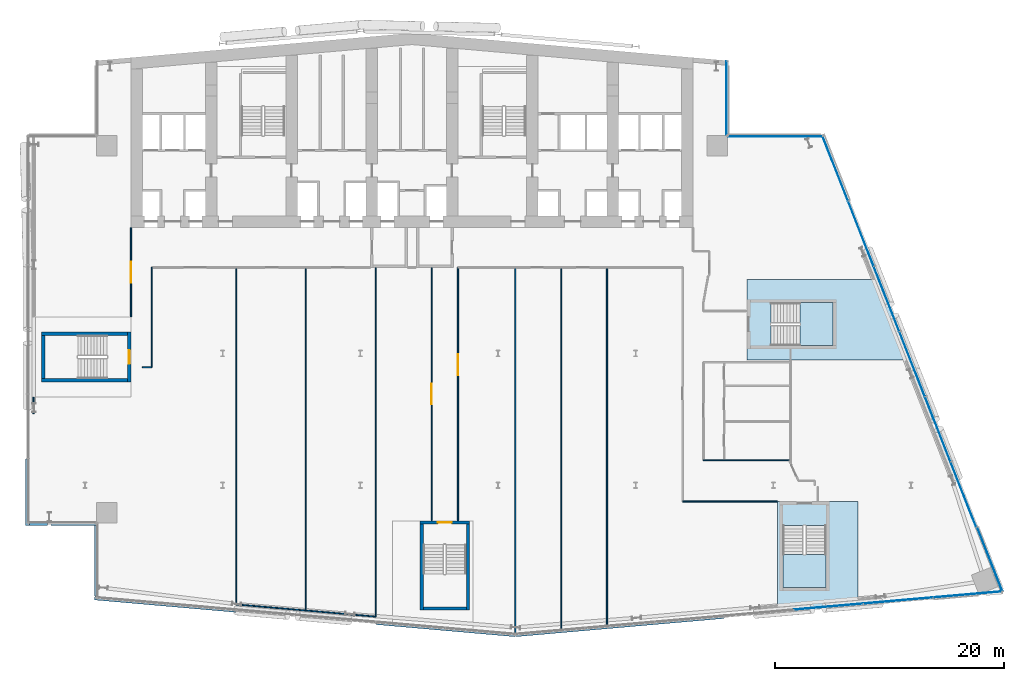
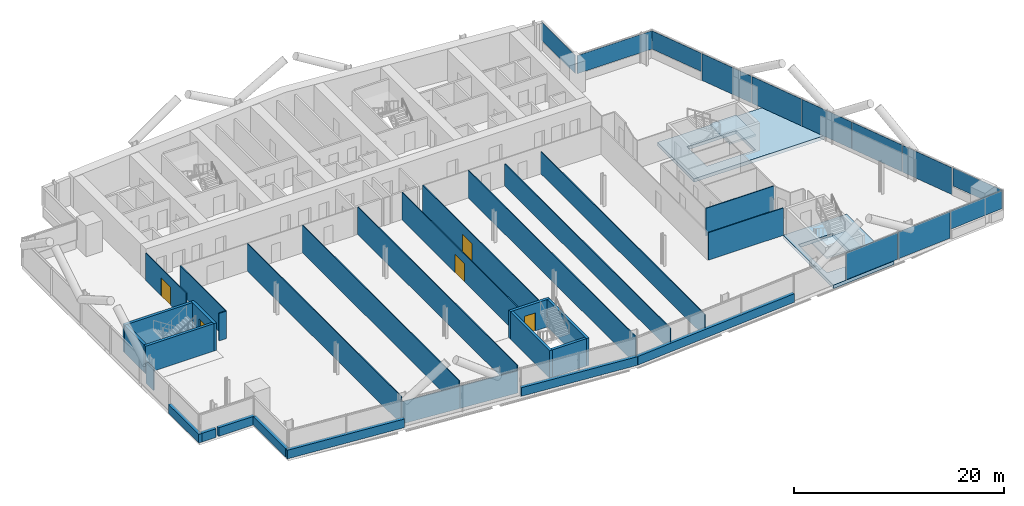
# One storey, part 13 of 25: 31 walls, 12 plates, 5 doors, 4 slabs, 5 openings, 6 elements without a shape of their own.
"""IFC4 building model written with IfcOpenShell, lengths in metres."""

import ifcopenshell
import ifcopenshell.guid

model = None  # the IFC model being written
_history = None  # IfcOwnerHistory: only IFC2X3 demands one
_inside = {}  # id of a spatial element -> (the spatial element, [elements in it])
_under = {}  # id of a project, library or spatial element -> (it, [spatial elements below it])
_declared = {}  # id of a project -> (the project, [libraries it declares])
_typed = {}  # id of a type object -> (the type object, [elements of that type])
_made_of = {}  # id of a material, layer set ... -> (it, [elements and type objects made of it])


def new_model(schema):
    """Start an empty IFC model of exactly this schema.

    Asked for "IFC4X3", IfcOpenShell would pick the latest addendum, in which some entities
    have other attributes; the version numbers below select the first issue.
    IFC2X3 requires an IfcOwnerHistory on every rooted entity: one is made here for all.
    """
    global model, _history
    if schema == "IFC4X3":
        model = ifcopenshell.file(schema_version=(4, 3, 0, 0))
    else:
        model = ifcopenshell.file(schema=schema)
    _inside.clear()
    _under.clear()
    _declared.clear()
    _typed.clear()
    _made_of.clear()
    _history = None
    if model.schema == "IFC2X3":
        org = make("IfcOrganization", Name="unknown")
        user = make(
            "IfcPersonAndOrganization",
            ThePerson=make("IfcPerson", FamilyName="unknown"),
            TheOrganization=org,
        )
        app = make(
            "IfcApplication",
            ApplicationDeveloper=org,
            Version="unknown",
            ApplicationFullName="unknown",
            ApplicationIdentifier="unknown",
        )
        _history = make(
            "IfcOwnerHistory",
            OwningUser=user,
            OwningApplication=app,
            ChangeAction="ADDED",
            CreationDate=0,
        )
    return model


def make(cls, **values):
    """One entity of the class cls with the attributes given. An attribute that is None is left unset."""
    return model.create_entity(
        cls, **{name: value for name, value in values.items() if value is not None}
    )


def rooted(cls, **values):
    """An entity with a GlobalId (a new one), such as an element, a storey or a relation."""
    return make(cls, GlobalId=ifcopenshell.guid.new(), OwnerHistory=_history, **values)


def si_unit(unit_type, name, prefix=None):
    """IfcSIUnit, for example si_unit("LENGTHUNIT", "METRE", prefix="MILLI")."""
    return make("IfcSIUnit", UnitType=unit_type, Prefix=prefix, Name=name)


def assignment(units):
    """IfcUnitAssignment: the units of a project."""
    return None if units is None else make("IfcUnitAssignment", Units=units)


def point(xyz):
    """IfcCartesianPoint."""
    return None if xyz is None else make("IfcCartesianPoint", Coordinates=xyz)


def direction(xyz):
    """IfcDirection."""
    return None if xyz is None else make("IfcDirection", DirectionRatios=xyz)


def frame(location, z_axis=None, x_axis=None):
    """IfcAxis2Placement3D, a coordinate frame: its origin and axes. An axis left out is left unset."""
    return make(
        "IfcAxis2Placement3D",
        Location=point(location),
        Axis=direction(z_axis),
        RefDirection=direction(x_axis),
    )


def frame_2d(location, x_axis=None):
    """IfcAxis2Placement2D, a coordinate frame in the plane: its origin and x axis."""
    return make(
        "IfcAxis2Placement2D", Location=point(location), RefDirection=direction(x_axis)
    )


def origin():
    """The frame at (0, 0, 0) with its axes left unset."""
    return frame((0.0, 0.0, 0.0))


def origin_2d():
    """The frame at (0, 0) in the plane with its x axis left unset."""
    return frame_2d((0.0, 0.0))


def place(relative_to, where):
    """IfcLocalPlacement: puts the frame where relative to a parent placement (None: the world)."""
    return make(
        "IfcLocalPlacement", PlacementRelTo=relative_to, RelativePlacement=where
    )


def context(
    kind, dimensions, precision=None, world=None, true_north=None, identifier=None
):
    """IfcGeometricRepresentationContext, for example the 3D "Model" context."""
    return make(
        "IfcGeometricRepresentationContext",
        ContextIdentifier=identifier,
        ContextType=kind,
        CoordinateSpaceDimension=dimensions,
        Precision=precision,
        WorldCoordinateSystem=world,
        TrueNorth=true_north,
    )


def subcontext(parent, identifier, kind, view, scale=None):
    """IfcGeometricRepresentationSubContext, for example "Body" below "Model"."""
    return make(
        "IfcGeometricRepresentationSubContext",
        ContextIdentifier=identifier,
        ContextType=kind,
        ParentContext=parent,
        TargetScale=scale,
        TargetView=view,
    )


def project(units=None, contexts=None):
    """IfcProject with its units and contexts."""
    return rooted(
        "IfcProject",
        Name="project",
        RepresentationContexts=contexts,
        UnitsInContext=assignment(units),
    )


def spatial(cls, under=None, at=None, **own):
    """A site, building, storey or space (cls), placed at a placement, below another one or the project."""
    s = rooted(cls, ObjectPlacement=at, **own)
    if under is not None:
        _under.setdefault(under.id(), (under, []))[1].append(s)
    return s


def polyline(points):
    """IfcPolyline through the points."""
    return make("IfcPolyline", Points=[point(p) for p in points])


def profile(cls, at=None, kind="AREA", **sizes):
    """A parametric profile (cls). Its sizes go by their IFC names, for example OverallWidth=200.0."""
    return make(cls, ProfileType=kind, Position=at, **sizes)


def rectangle(**sizes):
    """IfcRectangleProfileDef."""
    return profile("IfcRectangleProfileDef", **sizes)


def outline(outer, holes=None, kind="AREA"):
    """IfcArbitraryClosedProfileDef: a profile drawn as a closed curve; with holes, ...WithVoids."""
    if holes is None:
        return make("IfcArbitraryClosedProfileDef", ProfileType=kind, OuterCurve=outer)
    return make(
        "IfcArbitraryProfileDefWithVoids",
        ProfileType=kind,
        OuterCurve=outer,
        InnerCurves=holes,
    )


def extrude(swept, where, along, depth):
    """IfcExtrudedAreaSolid: the profile swept, set in the frame where, extruded along a direction by depth."""
    return make(
        "IfcExtrudedAreaSolid",
        SweptArea=swept,
        Position=where,
        ExtrudedDirection=direction(along),
        Depth=depth,
    )


def shape(context_of_items, identifier, shape_type, items):
    """IfcShapeRepresentation: the items that make up one representation, for example the "Body"."""
    return make(
        "IfcShapeRepresentation",
        ContextOfItems=context_of_items,
        RepresentationIdentifier=identifier,
        RepresentationType=shape_type,
        Items=items,
    )


def material(Name=None, Category=None):
    """IfcMaterial."""
    return make("IfcMaterial", Name=Name, Category=Category)


def layer(
    of_material, thickness, ventilated=None, Name=None, Category=None, Priority=None
):
    """IfcMaterialLayer: one layer of a wall or slab, of a material (None: an air gap)."""
    return make(
        "IfcMaterialLayer",
        Material=of_material,
        LayerThickness=thickness,
        IsVentilated=ventilated,
        Name=Name,
        Category=Category,
        Priority=Priority,
    )


def layer_set(layers, Name=None):
    """IfcMaterialLayerSet."""
    return make("IfcMaterialLayerSet", MaterialLayers=layers, LayerSetName=Name)


def made_of(thing, what):
    """Note that an element or type object is made of a material, layer set ...; save() writes the relation."""
    if what is not None:
        _made_of.setdefault(what.id(), (what, []))[1].append(thing)
    return thing


def type_object(cls, material=None, **own):
    """A type object (cls), such as IfcWallType, which elements share."""
    return made_of(rooted(cls, **own), material)


def element(
    cls,
    number,
    at=None,
    inside=None,
    cuts=None,
    type_object=None,
    material=None,
    context=None,
    identifier="Body",
    shape_type=None,
    held_by="IfcProductDefinitionShape",
    body=None,
    shapes=None,
    **own,
):
    """One element of the class cls, such as IfcWall. Its Tag is "e" and its number.

    at: its placement. inside: the storey or other place that contains it. cuts: it is an
    opening in that element (IfcRelVoidsElement). A single representation is given by context,
    identifier, shape_type and body (its items); several are given by shapes. held_by: the class
    of the entity that holds the representations. save() writes the other relations.
    """
    e = rooted(cls, Tag="e%d" % number, ObjectPlacement=at, **own)
    if body is not None:
        shapes = [shape(context, identifier, shape_type, body)]
    if shapes is not None:
        e.Representation = make(held_by, Representations=shapes)
    if inside is not None:
        _inside.setdefault(inside.id(), (inside, []))[1].append(e)
    if cuts is not None:
        rooted(
            "IfcRelVoidsElement", RelatingBuildingElement=cuts, RelatedOpeningElement=e
        )
    if type_object is not None:
        _typed.setdefault(type_object.id(), (type_object, []))[1].append(e)
    return made_of(e, material)


def fill(opening, filler):
    """IfcRelFillsElement: the door or window that sits in an opening."""
    return rooted(
        "IfcRelFillsElement",
        RelatingOpeningElement=opening,
        RelatedBuildingElement=filler,
    )


def aggregate(whole, parts):
    """IfcRelAggregates: a whole, such as a stair, and the parts it consists of."""
    return rooted("IfcRelAggregates", RelatingObject=whole, RelatedObjects=parts)


def save(model, path):
    """Write the relations noted so far, then the file.

    IfcRelAggregates (storeys below a building ...), IfcRelContainedInSpatialStructure (elements
    in a storey), IfcRelDefinesByType, IfcRelAssociatesMaterial and IfcRelDeclares: one each for
    every whole, place, type object, material and project.
    """
    for whole, parts in _under.values():
        aggregate(whole, parts)
    for where, things in _inside.values():
        rooted(
            "IfcRelContainedInSpatialStructure",
            RelatedElements=things,
            RelatingStructure=where,
        )
    for kind, things in _typed.values():
        rooted("IfcRelDefinesByType", RelatedObjects=things, RelatingType=kind)
    for what, things in _made_of.values():
        rooted("IfcRelAssociatesMaterial", RelatedObjects=things, RelatingMaterial=what)
    for by, libraries in _declared.values():
        rooted("IfcRelDeclares", RelatingContext=by, RelatedDefinitions=libraries)
    model.write(path)


model = new_model("IFC4")

# Units and contexts
model_context = context("Model", 3, precision=1e-05, world=origin(), true_north=direction((0.0, 1.0)))
body_context = subcontext(model_context, "Body", "Model", "MODEL_VIEW")
ifc_project = project(units=[si_unit("LENGTHUNIT", "METRE"), si_unit("AREAUNIT", "SQUARE_METRE"), si_unit("VOLUMEUNIT", "CUBIC_METRE"), si_unit("PLANEANGLEUNIT", "RADIAN"), si_unit("MASSUNIT", "GRAM", prefix="KILO")], contexts=[model_context])

# Site, building, storey
site_placement = place(None, origin())
site = spatial("IfcSite", under=ifc_project, at=site_placement, CompositionType="ELEMENT")
building_placement = place(site_placement, origin())
building = spatial("IfcBuilding", under=site, at=building_placement, Name="Wharfspan Tower", CompositionType="ELEMENT")
storey_placement = place(building_placement, frame((0.0, 0.0, 129.100098)))
storey = spatial("IfcBuildingStorey", under=building, at=storey_placement, Name="L30", CompositionType="ELEMENT", Elevation=129.100098)

# Curtain wall, plate
ifc_material_1 = material(Name="Aluminium 6063-T6", Category="aluminium")
curtain_wall_type_1 = type_object("IfcCurtainWallType", Name="CURTAIN WALL FACETED FRONT", PredefinedType="NOTDEFINED", material=ifc_material_1)
curtain_wall_1_placement = place(storey_placement, origin())
curtain_wall_1 = element("IfcCurtainWall", 1, at=curtain_wall_1_placement, inside=storey, type_object=curtain_wall_type_1, Name="Curtain wall S2", PredefinedType="NOTDEFINED")
ifc_material_2 = material(Name="Glass clear low-iron double glazing", Category="glass")
ifc_layer_1 = layer(ifc_material_2, 0.040039)
ifc_layer_set_1 = layer_set([ifc_layer_1], Name="Glass clear low-iron double glazing")
plate_type_1 = type_object("IfcPlateType", Name="GLASS PANEL FACETED FRONT 40", PredefinedType="CURTAIN_PANEL", material=ifc_layer_set_1)
plate_1_placement = place(storey_placement, frame((88.944092, 1.99292, 0.999756), z_axis=(0.0, 0.0, 1.0), x_axis=(0.996198, 0.087156, 0.0)))
plate_1 = element("IfcPlate", 2, at=plate_1_placement, type_object=plate_type_1, Name="Curtain wall S2 panel 7", PredefinedType="CURTAIN_PANEL", context=body_context, shape_type="SweptSolid", body=[
    extrude(rectangle(XDim=6.004639, YDim=0.040039, at=origin_2d()), origin(), (0.0, 0.0, 1.0), 2.120117),
])

# Curtain wall, plates
curtain_wall_type_2 = type_object("IfcCurtainWallType", Name="CURTAIN WALL PROW AND END", PredefinedType="NOTDEFINED", material=ifc_material_1)
curtain_wall_2_placement = place(storey_placement, origin())
curtain_wall_2 = element("IfcCurtainWall", 3, at=curtain_wall_2_placement, inside=storey, type_object=curtain_wall_type_2, Name="Curtain wall E", PredefinedType="NOTDEFINED")
ifc_layer_2 = layer(ifc_material_2, 0.040039)
ifc_layer_set_2 = layer_set([ifc_layer_2], Name="Glass clear low-iron double glazing")
plate_type_2 = type_object("IfcPlateType", Name="GLASS PANEL PROW AND END 40", PredefinedType="CURTAIN_PANEL", material=ifc_layer_set_2)
plate_2_placement = place(storey_placement, frame((90.877197, 5.056885, 0.999756), z_axis=(0.0, 0.0, 1.0), x_axis=(-0.365778, 0.930702, 0.0)))
plate_2 = element("IfcPlate", 4, at=plate_2_placement, type_object=plate_type_2, Name="Curtain wall E panel 1", PredefinedType="CURTAIN_PANEL", context=body_context, shape_type="SweptSolid", body=[
    extrude(rectangle(XDim=6.019043, YDim=0.040039, at=origin_2d()), origin(), (0.0, 0.0, 1.0), 2.120117),
])
plate_3_placement = place(storey_placement, frame((77.406494, 39.114014, 0.999756), z_axis=(0.0, 0.0, 1.0), x_axis=(-0.365778, 0.930702, 0.0)))
plate_3 = element("IfcPlate", 5, at=plate_3_placement, type_object=plate_type_2, Name="Curtain wall E panel 7", PredefinedType="CURTAIN_PANEL", context=body_context, shape_type="SweptSolid", body=[
    extrude(rectangle(XDim=6.019043, YDim=0.040039, at=origin_2d()), origin(), (0.0, 0.0, 1.0), 2.120117),
])

# Curtain wall, plate
curtain_wall_3_placement = place(storey_placement, origin())
curtain_wall_3 = element("IfcCurtainWall", 6, at=curtain_wall_3_placement, inside=storey, type_object=curtain_wall_type_2, Name="Curtain wall NRE-H", PredefinedType="NOTDEFINED")
plate_4_placement = place(storey_placement, frame((72.178955, 41.919922, 0.999756), z_axis=(0.0, 0.0, 1.0), x_axis=(-1.0, 0.0, 0.0)))
plate_4 = element("IfcPlate", 7, at=plate_4_placement, type_object=plate_type_2, Name="Curtain wall NRE-H panel 1", PredefinedType="CURTAIN_PANEL", context=body_context, shape_type="SweptSolid", body=[
    extrude(rectangle(XDim=8.238037, YDim=0.040039, at=origin_2d()), origin(), (0.0, 0.0, 1.0), 2.120117),
])
aggregate(curtain_wall_3, [plate_4])

curtain_wall_4_placement = place(storey_placement, origin())
curtain_wall_4 = element("IfcCurtainWall", 8, at=curtain_wall_4_placement, inside=storey, type_object=curtain_wall_type_2, Name="Curtain wall NRE-V", PredefinedType="NOTDEFINED")
plate_5_placement = place(storey_placement, frame((67.919922, 45.262451, 0.999756), z_axis=(0.0, 0.0, 1.0), x_axis=(0.0, 1.0, 0.0)))
plate_5 = element("IfcPlate", 9, at=plate_5_placement, type_object=plate_type_2, Name="Curtain wall NRE-V panel 1", PredefinedType="CURTAIN_PANEL", context=body_context, shape_type="SweptSolid", body=[
    extrude(rectangle(XDim=6.405029, YDim=0.040039, at=origin_2d()), origin(), (0.0, 0.0, 1.0), 2.120117),
])
aggregate(curtain_wall_4, [plate_5])

# Plate
ifc_material_3 = material(Name="Aluminium composite opaque insulated panel", Category="aluminium")
ifc_layer_3 = layer(ifc_material_3, 0.040039)
ifc_layer_set_3 = layer_set([ifc_layer_3], Name="Aluminium composite opaque insulated panel")
plate_type_3 = type_object("IfcPlateType", Name="INFILL PANEL FACETED FRONT OPAQUE 40", PredefinedType="SHEET", material=ifc_layer_set_3)
plate_6_placement = place(storey_placement, frame((76.816162, 0.931885, -0.000244), z_axis=(0.0, 0.0, 1.0), x_axis=(0.996198, 0.087156, 0.0)))
plate_6 = element("IfcPlate", 10, at=plate_6_placement, type_object=plate_type_3, Name="Curtain wall S2 panel 5", PredefinedType="SHEET", context=body_context, shape_type="SweptSolid", body=[
    extrude(rectangle(XDim=6.034668, YDim=0.040039, at=origin_2d()), origin(), (0.0, 0.0, 1.0), 3.120117),
])

plate_7_placement = place(storey_placement, frame((82.887695, 1.462891, -0.000244), z_axis=(0.0, 0.0, 1.0), x_axis=(0.996198, 0.087156, 0.0)))
plate_7 = element("IfcPlate", 11, at=plate_7_placement, type_object=plate_type_3, Name="Curtain wall S2 panel 6", PredefinedType="SHEET", context=body_context, shape_type="SweptSolid", body=[
    extrude(rectangle(XDim=6.034668, YDim=0.040039, at=origin_2d()), origin(), (0.0, 0.0, 1.0), 3.120117),
])

aggregate(curtain_wall_1, [plate_6, plate_7, plate_1])

ifc_layer_4 = layer(ifc_material_3, 0.040039)
ifc_layer_set_4 = layer_set([ifc_layer_4], Name="Aluminium composite opaque insulated panel")
plate_type_4 = type_object("IfcPlateType", Name="INFILL PANEL PROW AND END OPAQUE 40", PredefinedType="SHEET", material=ifc_layer_set_4)
plate_8_placement = place(storey_placement, frame((88.57373, 10.699219, -0.000244), z_axis=(0.0, 0.0, 1.0), x_axis=(-0.365778, 0.930702, 0.0)))
plate_8 = element("IfcPlate", 12, at=plate_8_placement, type_object=plate_type_4, Name="Curtain wall E panel 2", PredefinedType="SHEET", context=body_context, shape_type="SweptSolid", body=[
    extrude(rectangle(XDim=6.049072, YDim=0.040039, at=origin_2d()), origin(), (0.0, 0.0, 1.0), 3.120117),
])

plate_9_placement = place(storey_placement, frame((86.339111, 16.38501, -0.000244), z_axis=(0.0, 0.0, 1.0), x_axis=(-0.365778, 0.930702, 0.0)))
plate_9 = element("IfcPlate", 13, at=plate_9_placement, type_object=plate_type_4, Name="Curtain wall E panel 3", PredefinedType="SHEET", context=body_context, shape_type="SweptSolid", body=[
    extrude(rectangle(XDim=6.049072, YDim=0.040039, at=origin_2d()), origin(), (0.0, 0.0, 1.0), 3.120117),
])

plate_10_placement = place(storey_placement, frame((84.104492, 22.070801, -0.000244), z_axis=(0.0, 0.0, 1.0), x_axis=(-0.365778, 0.930702, 0.0)))
plate_10 = element("IfcPlate", 14, at=plate_10_placement, type_object=plate_type_4, Name="Curtain wall E panel 4", PredefinedType="SHEET", context=body_context, shape_type="SweptSolid", body=[
    extrude(rectangle(XDim=6.049072, YDim=0.040039, at=origin_2d()), origin(), (0.0, 0.0, 1.0), 3.120117),
])

plate_11_placement = place(storey_placement, frame((81.870117, 27.756348, -0.000244), z_axis=(0.0, 0.0, 1.0), x_axis=(-0.365778, 0.930702, 0.0)))
plate_11 = element("IfcPlate", 15, at=plate_11_placement, type_object=plate_type_4, Name="Curtain wall E panel 5", PredefinedType="SHEET", context=body_context, shape_type="SweptSolid", body=[
    extrude(rectangle(XDim=6.049072, YDim=0.040039, at=origin_2d()), origin(), (0.0, 0.0, 1.0), 3.120117),
])

plate_12_placement = place(storey_placement, frame((79.635498, 33.442139, -0.000244), z_axis=(0.0, 0.0, 1.0), x_axis=(-0.365778, 0.930702, 0.0)))
plate_12 = element("IfcPlate", 16, at=plate_12_placement, type_object=plate_type_4, Name="Curtain wall E panel 6", PredefinedType="SHEET", context=body_context, shape_type="SweptSolid", body=[
    extrude(rectangle(XDim=6.049072, YDim=0.040039, at=origin_2d()), origin(), (0.0, 0.0, 1.0), 3.120117),
])

aggregate(curtain_wall_2, [plate_2, plate_8, plate_9, plate_10, plate_11, plate_12, plate_3])

# Slabs
ifc_material_4 = material(Name="Concrete C40/50", Category="concrete")
ifc_layer_5 = layer(ifc_material_4, 0.399902)
ifc_layer_set_5 = layer_set([ifc_layer_5], Name="Concrete C40/50")
slab_type_1 = type_object("IfcSlabType", Name="Post-tensioned flat slab 400", PredefinedType="FLOOR", material=ifc_layer_set_5)
slab_1_placement = place(storey_placement, frame((0.0, 0.0, -0.400146)))
element("IfcSlab", 17, at=slab_1_placement, inside=storey, type_object=slab_type_1, Name="Core floor slab L30 part 5", PredefinedType="FLOOR", context=body_context, shape_type="SweptSolid", body=[
    extrude(outline(polyline([(79.365967, 10.094727), (76.891113, 10.094727), (72.541016, 10.094727), (72.365967, 10.094727), (72.365967, 0.482178), (79.365967, 1.094727), (79.365967, 10.094727)]), holes=[polyline([(76.591064, 7.996582), (76.591309, 7.996582), (76.591309, 7.996582), (76.591553, 7.996582), (76.591797, 7.996582), (76.591797, 7.996338), (76.592041, 7.996338), (76.592285, 7.996094), (76.592285, 7.996094), (76.592529, 7.99585), (76.592773, 7.99585), (76.592773, 7.995605), (76.593018, 7.995361), (76.593018, 7.995117), (76.593018, 7.995117), (76.593018, 7.994873), (76.593018, 7.994629), (76.593018, 2.594727), (76.593018, 2.594482), (76.593018, 2.594238), (76.593018, 2.593994), (76.593018, 2.593994), (76.592773, 2.59375), (76.592773, 2.593506), (76.592529, 2.593506), (76.592285, 2.593262), (76.592285, 2.593018), (76.592041, 2.593018), (76.591797, 2.593018), (76.591797, 2.592773), (76.591553, 2.592773), (76.591309, 2.592773), (76.591309, 2.592773), (76.591064, 2.592773), (72.841064, 2.592773), (72.84082, 2.592773), (72.840576, 2.592773), (72.840332, 2.592773), (72.840088, 2.592773), (72.840088, 2.593018), (72.839844, 2.593018), (72.8396, 2.593018), (72.8396, 2.593262), (72.8396, 2.593506), (72.839355, 2.593506), (72.839111, 2.59375), (72.839111, 2.593994), (72.839111, 2.593994), (72.839111, 2.594238), (72.839111, 2.594482), (72.839111, 2.594727), (72.839111, 7.994629), (72.839111, 7.994873), (72.839111, 7.995117), (72.839111, 7.995117), (72.839111, 7.995361), (72.839111, 7.995605), (72.839355, 7.99585), (72.8396, 7.99585), (72.8396, 7.996094), (72.8396, 7.996094), (72.839844, 7.996338), (72.840088, 7.996338), (72.840088, 7.996582), (72.840332, 7.996582), (72.840576, 7.996582), (72.84082, 7.996582), (72.841064, 7.996582), (76.591064, 7.996582)])]), origin(), (0.0, 0.0, 1.0), 0.400146),
])
slab_2_placement = place(storey_placement, frame((0.0, 0.0, -0.400146)))
element("IfcSlab", 18, at=slab_2_placement, inside=storey, type_object=slab_type_1, Name="Core floor slab L30 part 6", PredefinedType="FLOOR", context=body_context, shape_type="SweptSolid", body=[
    extrude(outline(polyline([(81.290283, 29.449951), (69.69043, 29.449951), (69.69043, 27.725098), (69.69043, 23.375), (69.69043, 22.449951), (84.041504, 22.449951), (81.290283, 29.449951)]), holes=[polyline([(71.790283, 23.673096), (71.790283, 23.673096), (71.790039, 23.673096), (71.789795, 23.673096), (71.789551, 23.673096), (71.789551, 23.673096), (71.789307, 23.67334), (71.789062, 23.673584), (71.789062, 23.673584), (71.788818, 23.673584), (71.788818, 23.673828), (71.788574, 23.674072), (71.788574, 23.674316), (71.788574, 23.674316), (71.78833, 23.674561), (71.78833, 23.674805), (71.78833, 23.675049), (71.78833, 27.425049), (71.78833, 27.425293), (71.78833, 27.425293), (71.788574, 27.425537), (71.788574, 27.425781), (71.788574, 27.425781), (71.788818, 27.426025), (71.788818, 27.42627), (71.789062, 27.426514), (71.789062, 27.426514), (71.789307, 27.426758), (71.789551, 27.426758), (71.789551, 27.426758), (71.789795, 27.427002), (71.790039, 27.427002), (71.790283, 27.427002), (71.790283, 27.427002), (77.19043, 27.427002), (77.190674, 27.427002), (77.190918, 27.427002), (77.190918, 27.427002), (77.191162, 27.426758), (77.191406, 27.426758), (77.191406, 27.426758), (77.19165, 27.426514), (77.191895, 27.426514), (77.191895, 27.42627), (77.192139, 27.426025), (77.192139, 27.425781), (77.192139, 27.425781), (77.192383, 27.425537), (77.192383, 27.425293), (77.192383, 27.425293), (77.192383, 27.425049), (77.192383, 23.675049), (77.192383, 23.674805), (77.192383, 23.674561), (77.192383, 23.674316), (77.192139, 23.674316), (77.192139, 23.674072), (77.192139, 23.673828), (77.191895, 23.673584), (77.191895, 23.673584), (77.19165, 23.673584), (77.191406, 23.67334), (77.191406, 23.673096), (77.191162, 23.673096), (77.190918, 23.673096), (77.190918, 23.673096), (77.190674, 23.673096), (77.19043, 23.673096), (71.790283, 23.673096)])]), origin(), (0.0, 0.0, 1.0), 0.400146),
])

# Stair, slab
stair_type = type_object("IfcStairType", Name="Half-turn stair 20 risers 180 mm", PredefinedType="HALF_TURN_STAIR", material=ifc_material_4)
stair_1_placement = place(storey_placement, origin())
stair_1 = element("IfcStair", 19, at=stair_1_placement, inside=storey, type_object=stair_type, Name="L30 stair ST5", PredefinedType="HALF_TURN_STAIR")
ifc_layer_6 = layer(ifc_material_4, 0.199951)
ifc_layer_set_6 = layer_set([ifc_layer_6], Name="Concrete C40/50")
slab_type_2 = type_object("IfcSlabType", Name="Stair landing 200", PredefinedType="LANDING", material=ifc_layer_set_6)
slab_3_placement = place(storey_placement, frame((0.0, 0.0, 1.599609)))
slab_3 = element("IfcSlab", 20, at=slab_3_placement, type_object=slab_type_2, Name="ST5 landing 1", PredefinedType="LANDING", context=body_context, shape_type="SweptSolid", body=[
    extrude(outline(polyline([(72.841064, 5.474609), (72.841064, 2.594727), (76.591064, 2.594727), (76.591064, 5.474609), (72.841064, 5.474609)])), origin(), (0.0, 0.0, 1.0), 0.200195),
])
aggregate(stair_1, [slab_3])

stair_2_placement = place(storey_placement, origin())
stair_2 = element("IfcStair", 21, at=stair_2_placement, inside=storey, type_object=stair_type, Name="L30 stair ST6", PredefinedType="HALF_TURN_STAIR")
slab_4_placement = place(storey_placement, frame((0.0, 0.0, 1.599609)))
slab_4 = element("IfcSlab", 22, at=slab_4_placement, type_object=slab_type_2, Name="ST6 landing 1", PredefinedType="LANDING", context=body_context, shape_type="SweptSolid", body=[
    extrude(outline(polyline([(74.310303, 23.675049), (77.19043, 23.675049), (77.19043, 27.425049), (74.310303, 27.425049), (74.310303, 23.675049)])), origin(), (0.0, 0.0, 1.0), 0.200195),
])
aggregate(stair_2, [slab_4])

# Wall, opening, door
ifc_material_5 = material(Name="Gypsum board on steel studs", Category="steel")
ifc_layer_7 = layer(ifc_material_5, 0.100098)
ifc_layer_set_7 = layer_set([ifc_layer_7], Name="Gypsum board on steel studs")
wall_type_1 = type_object("IfcWallType", Name="Compartment wall 100 EI 60", PredefinedType="PARTITIONING", material=ifc_layer_set_7)
wall_1_placement = place(storey_placement, frame((16.0, 26.219971, 0.0), z_axis=(0.0, 0.0, 1.0), x_axis=(0.0, 1.0, 0.0)))
wall_1 = element("IfcWall", 23, at=wall_1_placement, inside=storey, type_object=wall_type_1, Name="Partition L30.w003", PredefinedType="PARTITIONING", context=body_context, shape_type="SweptSolid", body=[
    extrude(rectangle(XDim=7.76001, YDim=0.100098, at=frame_2d((3.879883, 0.0))), origin(), (0.0, 0.0, 1.0), 3.199951),
])
opening_1_placement = place(wall_1_placement, frame((2.959961, 0.0, 0.0)))
opening_1 = element("IfcOpeningElement", 24, at=opening_1_placement, cuts=wall_1, Name="Opening B4-09", PredefinedType="OPENING", context=body_context, shape_type="SweptSolid", body=[
    extrude(rectangle(XDim=1.800049, YDim=2.100098, at=frame_2d((0.899902, 1.050049))), frame((0.0, 0.060059, 0.0), z_axis=(0.0, -1.0, 0.0), x_axis=(1.0, 0.0, 0.0)), (0.0, 0.0, 1.0), 0.120117),
])
ifc_material_6 = material(Name="Fire-rated timber door leaf in steel frame", Category="steel")
door_type_1 = type_object("IfcDoorType", Name="Door 1800 FD30S Double", OperationType="DOUBLE_DOOR_SINGLE_SWING", PredefinedType="DOOR", material=ifc_material_6)
door_1_placement = place(opening_1_placement, origin())
door_1 = element("IfcDoor", 25, at=door_1_placement, inside=storey, type_object=door_type_1, Name="Door B4-09", OperationType="DOUBLE_DOOR_SINGLE_SWING", OverallHeight=2.100098, OverallWidth=1.800049, PredefinedType="DOOR", context=body_context, shape_type="SweptSolid", body=[
    extrude(rectangle(XDim=1.800049, YDim=2.100098, at=frame_2d((0.899902, 1.050049))), frame((0.0, 0.024902, 0.0), z_axis=(0.0, -1.0, 0.0), x_axis=(1.0, 0.0, 0.0)), (0.0, 0.0, 1.0), 0.050049),
])
fill(opening_1, door_1)

# Walls
wall_2_placement = place(storey_placement, frame((17.0, 21.800049, 0.0), z_axis=(0.0, 0.0, 1.0), x_axis=(1.0, 0.0, 0.0)))
element("IfcWall", 26, at=wall_2_placement, inside=storey, type_object=wall_type_1, Name="Partition L30.w004", PredefinedType="PARTITIONING", context=body_context, shape_type="SweptSolid", body=[
    extrude(rectangle(XDim=0.800049, YDim=0.100098, at=frame_2d((0.399902, 0.0))), origin(), (0.0, 0.0, 1.0), 3.199951),
])
wall_3_placement = place(storey_placement, frame((17.800049, 21.800049, 0.0), z_axis=(0.0, 0.0, 1.0), x_axis=(0.0, 1.0, 0.0)))
element("IfcWall", 27, at=wall_3_placement, inside=storey, type_object=wall_type_1, Name="Partition L30.w005", PredefinedType="PARTITIONING", context=body_context, shape_type="SweptSolid", body=[
    extrude(rectangle(XDim=8.699951, YDim=0.100098, at=frame_2d((4.350098, 0.0))), origin(), (0.0, 0.0, 1.0), 3.199951),
])
wall_4_placement = place(storey_placement, frame((25.169922, 1.120117, 0.0), z_axis=(0.0, 0.0, 1.0), x_axis=(0.0, 1.0, 0.0)))
element("IfcWall", 28, at=wall_4_placement, inside=storey, type_object=wall_type_1, Name="Partition L30.w007", PredefinedType="PARTITIONING", context=body_context, shape_type="SweptSolid", body=[
    extrude(rectangle(XDim=29.379883, YDim=0.100098, at=frame_2d((14.689941, 0.0))), origin(), (0.0, 0.0, 1.0), 3.199951),
])
wall_5_placement = place(storey_placement, frame((31.25, 0.590088, 0.0), z_axis=(0.0, 0.0, 1.0), x_axis=(0.0, 1.0, 0.0)))
element("IfcWall", 29, at=wall_5_placement, inside=storey, type_object=wall_type_1, Name="Partition L30.w009", PredefinedType="PARTITIONING", context=body_context, shape_type="SweptSolid", body=[
    extrude(rectangle(XDim=29.909912, YDim=0.100098, at=frame_2d((14.955078, 0.0))), origin(), (0.0, 0.0, 1.0), 3.199951),
])
wall_6_placement = place(storey_placement, frame((37.334961, 0.054932, 0.0), z_axis=(0.0, 0.0, 1.0), x_axis=(0.0, 1.0, 0.0)))
element("IfcWall", 30, at=wall_6_placement, inside=storey, type_object=wall_type_1, Name="Partition L30.w011", PredefinedType="PARTITIONING", context=body_context, shape_type="SweptSolid", body=[
    extrude(rectangle(XDim=30.445068, YDim=0.100098, at=frame_2d((15.222656, 0.0))), origin(), (0.0, 0.0, 1.0), 3.199951),
])

# Wall, opening, door
wall_7_placement = place(storey_placement, frame((42.209961, 8.437012, 0.0), z_axis=(0.0, 0.0, 1.0), x_axis=(0.0, 1.0, 0.0)))
wall_7 = element("IfcWall", 31, at=wall_7_placement, inside=storey, type_object=wall_type_1, Name="Partition L30.w012", PredefinedType="PARTITIONING", context=body_context, shape_type="SweptSolid", body=[
    extrude(rectangle(XDim=22.062988, YDim=0.100098, at=frame_2d((11.031494, 0.0))), origin(), (0.0, 0.0, 1.0), 3.199951),
])
opening_2_placement = place(wall_7_placement, frame((10.143066, 0.0, 0.0)))
opening_2 = element("IfcOpeningElement", 32, at=opening_2_placement, cuts=wall_7, Name="Opening B4-05", PredefinedType="OPENING", context=body_context, shape_type="SweptSolid", body=[
    extrude(rectangle(XDim=1.800049, YDim=2.100098, at=frame_2d((0.899902, 1.050049))), frame((0.0, 0.060059, 0.0), z_axis=(0.0, -1.0, 0.0), x_axis=(1.0, 0.0, 0.0)), (0.0, 0.0, 1.0), 0.120117),
])
door_2_placement = place(opening_2_placement, origin())
door_2 = element("IfcDoor", 33, at=door_2_placement, inside=storey, type_object=door_type_1, Name="Door B4-05", OperationType="DOUBLE_DOOR_SINGLE_SWING", OverallHeight=2.100098, OverallWidth=1.800049, PredefinedType="DOOR", context=body_context, shape_type="SweptSolid", body=[
    extrude(rectangle(XDim=1.800049, YDim=2.100098, at=frame_2d((0.899902, 1.050049))), frame((0.0, 0.024902, 0.0), z_axis=(0.0, -1.0, 0.0), x_axis=(1.0, 0.0, 0.0)), (0.0, 0.0, 1.0), 0.050049),
])
fill(opening_2, door_2)

wall_8_placement = place(storey_placement, frame((44.51001, 8.437012, 0.0), z_axis=(0.0, 0.0, 1.0), x_axis=(0.0, 1.0, 0.0)))
wall_8 = element("IfcWall", 34, at=wall_8_placement, inside=storey, type_object=wall_type_1, Name="Partition L30.w013", PredefinedType="PARTITIONING", context=body_context, shape_type="SweptSolid", body=[
    extrude(rectangle(XDim=22.062988, YDim=0.100098, at=frame_2d((11.031494, 0.0))), origin(), (0.0, 0.0, 1.0), 3.199951),
])
opening_3_placement = place(wall_8_placement, frame((12.683105, 0.0, 0.0)))
opening_3 = element("IfcOpeningElement", 35, at=opening_3_placement, cuts=wall_8, Name="Opening B4-08", PredefinedType="OPENING", context=body_context, shape_type="SweptSolid", body=[
    extrude(rectangle(XDim=1.800049, YDim=2.100098, at=frame_2d((0.899902, 1.050049))), frame((0.0, 0.060059, 0.0), z_axis=(0.0, -1.0, 0.0), x_axis=(1.0, 0.0, 0.0)), (0.0, 0.0, 1.0), 0.120117),
])
door_3_placement = place(opening_3_placement, origin())
door_3 = element("IfcDoor", 36, at=door_3_placement, inside=storey, type_object=door_type_1, Name="Door B4-08", OperationType="DOUBLE_DOOR_SINGLE_SWING", OverallHeight=2.100098, OverallWidth=1.800049, PredefinedType="DOOR", context=body_context, shape_type="SweptSolid", body=[
    extrude(rectangle(XDim=1.800049, YDim=2.100098, at=frame_2d((0.899902, 1.050049))), frame((0.0, 0.024902, 0.0), z_axis=(0.0, -1.0, 0.0), x_axis=(1.0, 0.0, 0.0)), (0.0, 0.0, 1.0), 0.050049),
])
fill(opening_3, door_3)

# Walls
wall_9_placement = place(storey_placement, frame((49.5, -1.498291, 0.0), z_axis=(0.0, 0.0, 1.0), x_axis=(0.0, 1.0, 0.0)))
element("IfcWall", 37, at=wall_9_placement, inside=storey, type_object=wall_type_1, Name="Partition L30.w015", PredefinedType="PARTITIONING", context=body_context, shape_type="SweptSolid", body=[
    extrude(rectangle(XDim=31.998291, YDim=0.100098, at=frame_2d((15.999023, 0.0))), origin(), (0.0, 0.0, 1.0), 3.199951),
])
wall_10_placement = place(storey_placement, frame((53.5, -1.148193, 0.0), z_axis=(0.0, 0.0, 1.0), x_axis=(0.0, 1.0, 0.0)))
element("IfcWall", 38, at=wall_10_placement, inside=storey, type_object=wall_type_1, Name="Partition L30.w016", PredefinedType="PARTITIONING", context=body_context, shape_type="SweptSolid", body=[
    extrude(rectangle(XDim=31.648193, YDim=0.100098, at=frame_2d((15.824219, 0.0))), origin(), (0.0, 0.0, 1.0), 2.579834),
])
wall_11_placement = place(storey_placement, frame((57.5, -0.79834, 0.0), z_axis=(0.0, 0.0, 1.0), x_axis=(0.0, 1.0, 0.0)))
element("IfcWall", 39, at=wall_11_placement, inside=storey, type_object=wall_type_1, Name="Partition L30.w017", PredefinedType="PARTITIONING", context=body_context, shape_type="SweptSolid", body=[
    extrude(rectangle(XDim=31.29834, YDim=0.100098, at=frame_2d((15.64917, 0.0))), origin(), (0.0, 0.0, 1.0), 2.579834),
])
wall_12_placement = place(storey_placement, frame((64.100098, 10.094971, 0.0), z_axis=(0.0, 0.0, 1.0), x_axis=(1.0, 0.0, 0.0)))
element("IfcWall", 40, at=wall_12_placement, inside=storey, type_object=wall_type_1, Name="Partition L30.w019", PredefinedType="PARTITIONING", context=body_context, shape_type="SweptSolid", body=[
    extrude(rectangle(XDim=8.24585, YDim=0.100098, at=frame_2d((4.123047, 0.0))), origin(), (0.0, 0.0, 1.0), 3.199951),
])
wall_13_placement = place(storey_placement, frame((65.909912, 13.705078, 0.0), z_axis=(0.0, 0.0, 1.0), x_axis=(1.0, 0.0, 0.0)))
element("IfcWall", 41, at=wall_13_placement, inside=storey, type_object=wall_type_1, Name="Partition L30.w026", PredefinedType="PARTITIONING", context=body_context, shape_type="SweptSolid", body=[
    extrude(rectangle(XDim=7.48999, YDim=0.100098, at=frame_2d((3.745117, 0.0))), origin(), (0.0, 0.0, 1.0), 3.199951),
])
ifc_layer_8 = layer(ifc_material_5, 0.100098)
ifc_layer_set_8 = layer_set([ifc_layer_8], Name="Gypsum board on steel studs")
wall_type_2 = type_object("IfcWallType", Name="Partition 100", PredefinedType="PARTITIONING", material=ifc_layer_set_8)
wall_14_placement = place(storey_placement, frame((7.51001, 17.764893, 0.0), z_axis=(0.0, 0.0, 1.0), x_axis=(0.0, 1.0, 0.0)))
element("IfcWall", 42, at=wall_14_placement, inside=storey, type_object=wall_type_2, Name="Partition L30.w001", PredefinedType="PARTITIONING", context=body_context, shape_type="SweptSolid", body=[
    extrude(rectangle(XDim=1.415039, YDim=0.100098, at=frame_2d((0.70752, 0.0))), origin(), (0.0, 0.0, 1.0), 2.579834),
])
wall_15_placement = place(storey_placement, frame((31.25, 0.590088, 0.0), z_axis=(0.0, 0.0, 1.0), x_axis=(-0.996218, 0.086845, 0.0)))
element("IfcWall", 43, at=wall_15_placement, inside=storey, type_object=wall_type_2, Name="Partition L30.w008", PredefinedType="PARTITIONING", context=body_context, shape_type="SweptSolid", body=[
    extrude(rectangle(XDim=6.103027, YDim=0.100098, at=frame_2d((3.051514, 0.0))), origin(), (0.0, 0.0, 1.0), 2.579834),
])
wall_16_placement = place(storey_placement, frame((37.334961, 0.054932, 0.0), z_axis=(0.0, 0.0, 1.0), x_axis=(-0.996095, 0.088253, 0.0)))
element("IfcWall", 44, at=wall_16_placement, inside=storey, type_object=wall_type_2, Name="Partition L30.w010", PredefinedType="PARTITIONING", context=body_context, shape_type="SweptSolid", body=[
    extrude(rectangle(XDim=6.105469, YDim=0.100098, at=frame_2d((3.052734, 0.0))), origin(), (0.0, 0.0, 1.0), 2.579834),
])
ifc_layer_9 = layer(ifc_material_4, 0.350098)
ifc_layer_set_9 = layer_set([ifc_layer_9], Name="Concrete C40/50")
wall_type_3 = type_object("IfcWallType", Name="SPANDREL EXPOSED CONCRETE 350", PredefinedType="SOLIDWALL", material=ifc_layer_set_9)
wall_17_placement = place(storey_placement, frame((12.835205, 1.68457, 0.0), z_axis=(0.0, 0.0, 1.0), x_axis=(0.996192, -0.087173, 0.0)))
element("IfcWall", 45, at=wall_17_placement, inside=storey, type_object=wall_type_3, Name="Spandrel upstand L30 S1 1", PredefinedType="SOLIDWALL", context=body_context, shape_type="SweptSolid", body=[
    extrude(rectangle(XDim=12.348145, YDim=0.350098, at=frame_2d((6.174072, 0.0))), origin(), (0.0, 0.0, 1.0), 1.0),
])
wall_18_placement = place(storey_placement, frame((37.362793, -0.461426, 0.0), z_axis=(0.0, 0.0, 1.0), x_axis=(0.996194, -0.087159, 0.0)))
element("IfcWall", 46, at=wall_18_placement, inside=storey, type_object=wall_type_3, Name="Spandrel upstand L30 S1 2", PredefinedType="SOLIDWALL", context=body_context, shape_type="SweptSolid", body=[
    extrude(rectangle(XDim=12.19873, YDim=0.350098, at=frame_2d((6.099365, 0.0))), origin(), (0.0, 0.0, 1.0), 1.0),
])
wall_19_placement = place(storey_placement, frame((49.54541, -1.519287, 0.0), z_axis=(0.0, 0.0, 1.0), x_axis=(0.996191, 0.087151, 0.0)))
element("IfcWall", 47, at=wall_19_placement, inside=storey, type_object=wall_type_3, Name="Spandrel upstand L30 S2 1", PredefinedType="SOLIDWALL", context=body_context, shape_type="SweptSolid", body=[
    extrude(rectangle(XDim=18.20874, YDim=0.350098, at=frame_2d((9.104492, 0.0))), origin(), (0.0, 0.0, 1.0), 1.0),
])
wall_20_placement = place(storey_placement, frame((6.995117, 13.803223, 0.0), z_axis=(0.0, 0.0, 1.0), x_axis=(0.0, -1.0, 0.0)))
element("IfcWall", 48, at=wall_20_placement, inside=storey, type_object=wall_type_3, Name="Spandrel upstand L30 W", PredefinedType="SOLIDWALL", context=body_context, shape_type="SweptSolid", body=[
    extrude(rectangle(XDim=5.783203, YDim=0.350098, at=frame_2d((2.891602, 0.0))), origin(), (0.0, 0.0, 1.0), 1.0),
])
wall_21_placement = place(storey_placement, frame((7.169922, 8.195068, 0.0), z_axis=(0.0, 0.0, 1.0), x_axis=(1.0, 0.0, 0.0)))
element("IfcWall", 49, at=wall_21_placement, inside=storey, type_object=wall_type_3, Name="Spandrel upstand L30 NFW-H", PredefinedType="SOLIDWALL", context=body_context, shape_type="SweptSolid", body=[
    extrude(rectangle(XDim=1.563232, YDim=0.350098, at=frame_2d((0.781738, 0.0))), origin(), (0.0, 0.0, 1.0), 1.0),
])
wall_22_placement = place(storey_placement, frame((9.036133, 8.195068, 0.0), z_axis=(0.0, 0.0, 1.0), x_axis=(1.0, 0.0, 0.0)))
element("IfcWall", 50, at=wall_22_placement, inside=storey, type_object=wall_type_3, Name="Spandrel upstand L30 NFW-H 2", PredefinedType="SOLIDWALL", context=body_context, shape_type="SweptSolid", body=[
    extrude(rectangle(XDim=3.963867, YDim=0.350098, at=frame_2d((1.981934, 0.0))), origin(), (0.0, 0.0, 1.0), 1.0),
])
wall_23_placement = place(storey_placement, frame((12.995117, 8.02002, 0.0), z_axis=(0.0, 0.0, 1.0), x_axis=(0.0, -1.0, 0.0)))
element("IfcWall", 51, at=wall_23_placement, inside=storey, type_object=wall_type_3, Name="Spandrel upstand L30 NFW-V", PredefinedType="SOLIDWALL", context=body_context, shape_type="SweptSolid", body=[
    extrude(rectangle(XDim=6.161133, YDim=0.350098, at=frame_2d((3.080566, 0.0))), origin(), (0.0, 0.0, 1.0), 1.0),
])

# Wall, opening, door
ifc_layer_10 = layer(ifc_material_4, 0.300049)
ifc_layer_set_10 = layer_set([ifc_layer_10], Name="Concrete C40/50")
wall_type_4 = type_object("IfcWallType", Name="Stair core wall 300", PredefinedType="SHEAR", material=ifc_layer_set_10)
wall_24_placement = place(storey_placement, frame((15.850098, 20.524902, 0.0), z_axis=(0.0, 0.0, 1.0), x_axis=(0.0, 1.0, 0.0)))
wall_24 = element("IfcWall", 52, at=wall_24_placement, inside=storey, type_object=wall_type_4, Name="ST3 stair enclosure wall L30", PredefinedType="SHEAR", context=body_context, shape_type="SweptSolid", body=[
    extrude(rectangle(XDim=4.350098, YDim=0.300049, at=frame_2d((2.175049, 0.0))), origin(), (0.0, 0.0, 1.0), 3.199951),
])
opening_4_placement = place(wall_24_placement, frame((1.574951, 0.0, 0.0)))
opening_4 = element("IfcOpeningElement", 53, at=opening_4_placement, cuts=wall_24, Name="Opening SD3.L30", PredefinedType="OPENING", context=body_context, shape_type="SweptSolid", body=[
    extrude(rectangle(XDim=1.199951, YDim=2.100098, at=frame_2d((0.600098, 1.050049))), frame((0.0, 0.159912, 0.0), z_axis=(0.0, -1.0, 0.0), x_axis=(1.0, 0.0, 0.0)), (0.0, 0.0, 1.0), 0.320068),
])
ifc_material_7 = material(Name="Steel door leaf", Category="steel")
door_type_2 = type_object("IfcDoorType", Name="Stair door 1200x2100", OperationType="SINGLE_SWING_LEFT", PredefinedType="DOOR", material=ifc_material_7)
door_4_placement = place(opening_4_placement, origin())
door_4 = element("IfcDoor", 54, at=door_4_placement, inside=storey, type_object=door_type_2, Name="sd:L30:ST3z2", OperationType="SINGLE_SWING_RIGHT", OverallHeight=2.100098, OverallWidth=1.199951, PredefinedType="DOOR", context=body_context, shape_type="SweptSolid", body=[
    extrude(rectangle(XDim=1.199951, YDim=2.100098, at=frame_2d((0.600098, 1.050049))), frame((0.0, 0.024902, 0.0), z_axis=(0.0, -1.0, 0.0), x_axis=(1.0, 0.0, 0.0)), (0.0, 0.0, 1.0), 0.050049),
])
fill(opening_4, door_4)

wall_25_placement = place(storey_placement, frame((41.185303, 8.26709, 0.0), z_axis=(0.0, 0.0, 1.0), x_axis=(1.0, 0.0, 0.0)))
wall_25 = element("IfcWall", 55, at=wall_25_placement, inside=storey, type_object=wall_type_4, Name="ST4 stair enclosure wall L30", PredefinedType="SHEAR", context=body_context, shape_type="SweptSolid", body=[
    extrude(rectangle(XDim=4.350098, YDim=0.300049, at=frame_2d((2.175049, 0.0))), origin(), (0.0, 0.0, 1.0), 3.199951),
])
opening_5_placement = place(wall_25_placement, frame((1.574951, 0.0, 0.0)))
opening_5 = element("IfcOpeningElement", 56, at=opening_5_placement, cuts=wall_25, Name="Opening SD4.L30", PredefinedType="OPENING", context=body_context, shape_type="SweptSolid", body=[
    extrude(rectangle(XDim=1.199951, YDim=2.100098, at=frame_2d((0.600098, 1.050049))), frame((0.0, 0.159912, 0.0), z_axis=(0.0, -1.0, 0.0), x_axis=(1.0, 0.0, 0.0)), (0.0, 0.0, 1.0), 0.320068),
])
door_5_placement = place(opening_5_placement, origin())
door_5 = element("IfcDoor", 57, at=door_5_placement, inside=storey, type_object=door_type_2, Name="sd:L30:ST4z2", OperationType="SINGLE_SWING_RIGHT", OverallHeight=2.100098, OverallWidth=1.199951, PredefinedType="DOOR", context=body_context, shape_type="SweptSolid", body=[
    extrude(rectangle(XDim=1.199951, YDim=2.100098, at=frame_2d((0.600098, 1.050049))), frame((0.0, 0.024902, 0.0), z_axis=(0.0, -1.0, 0.0), x_axis=(1.0, 0.0, 0.0)), (0.0, 0.0, 1.0), 0.050049),
])
fill(opening_5, door_5)

# Walls
for number, where, z_axis, x_axis, name in (
    (58, (8.199951, 20.675049, 0.0), (0.0, 0.0, 1.0), (1.0, 0.0, 0.0), "ST3 stair enclosure wall L30"),
    (59, (8.199951, 24.725098, 0.0), (0.0, 0.0, 1.0), (1.0, 0.0, 0.0), "ST3 stair enclosure wall L30"),
):
    element("IfcWall", number, at=place(storey_placement, frame(where, z_axis=z_axis, x_axis=x_axis)), inside=storey, type_object=wall_type_4, Name=name, PredefinedType="SHEAR", context=body_context, shape_type="SweptSolid", body=[
        extrude(rectangle(XDim=7.5, YDim=0.300049, at=frame_2d((3.75, 0.0))), origin(), (0.0, 0.0, 1.0), 3.199951),
    ])
wall_26_placement = place(storey_placement, frame((8.350098, 20.824951, 0.0), z_axis=(0.0, 0.0, 1.0), x_axis=(0.0, 1.0, 0.0)))
element("IfcWall", 60, at=wall_26_placement, inside=storey, type_object=wall_type_4, Name="ST3 stair enclosure wall L30", PredefinedType="SHEAR", context=body_context, shape_type="SweptSolid", body=[
    extrude(rectangle(XDim=3.75, YDim=0.300049, at=frame_2d((1.875, 0.0))), origin(), (0.0, 0.0, 1.0), 3.199951),
])
for number, where, z_axis, x_axis, name in (
    (61, (41.335205, 0.616943, 0.0), (0.0, 0.0, 1.0), (0.0, 1.0, 0.0), "ST4 stair enclosure wall L30"),
    (62, (45.385254, 0.616943, 0.0), (0.0, 0.0, 1.0), (0.0, 1.0, 0.0), "ST4 stair enclosure wall L30"),
):
    element("IfcWall", number, at=place(storey_placement, frame(where, z_axis=z_axis, x_axis=x_axis)), inside=storey, type_object=wall_type_4, Name=name, PredefinedType="SHEAR", context=body_context, shape_type="SweptSolid", body=[
        extrude(rectangle(XDim=7.5, YDim=0.300049, at=frame_2d((3.75, 0.0))), origin(), (0.0, 0.0, 1.0), 3.199951),
    ])
wall_27_placement = place(storey_placement, frame((41.485352, 0.76709, 0.0), z_axis=(0.0, 0.0, 1.0), x_axis=(1.0, 0.0, 0.0)))
element("IfcWall", 63, at=wall_27_placement, inside=storey, type_object=wall_type_4, Name="ST4 stair enclosure wall L30", PredefinedType="SHEAR", context=body_context, shape_type="SweptSolid", body=[
    extrude(rectangle(XDim=3.75, YDim=0.300049, at=frame_2d((1.875, 0.0))), origin(), (0.0, 0.0, 1.0), 3.199951),
])

save(model, "model.ifc")
